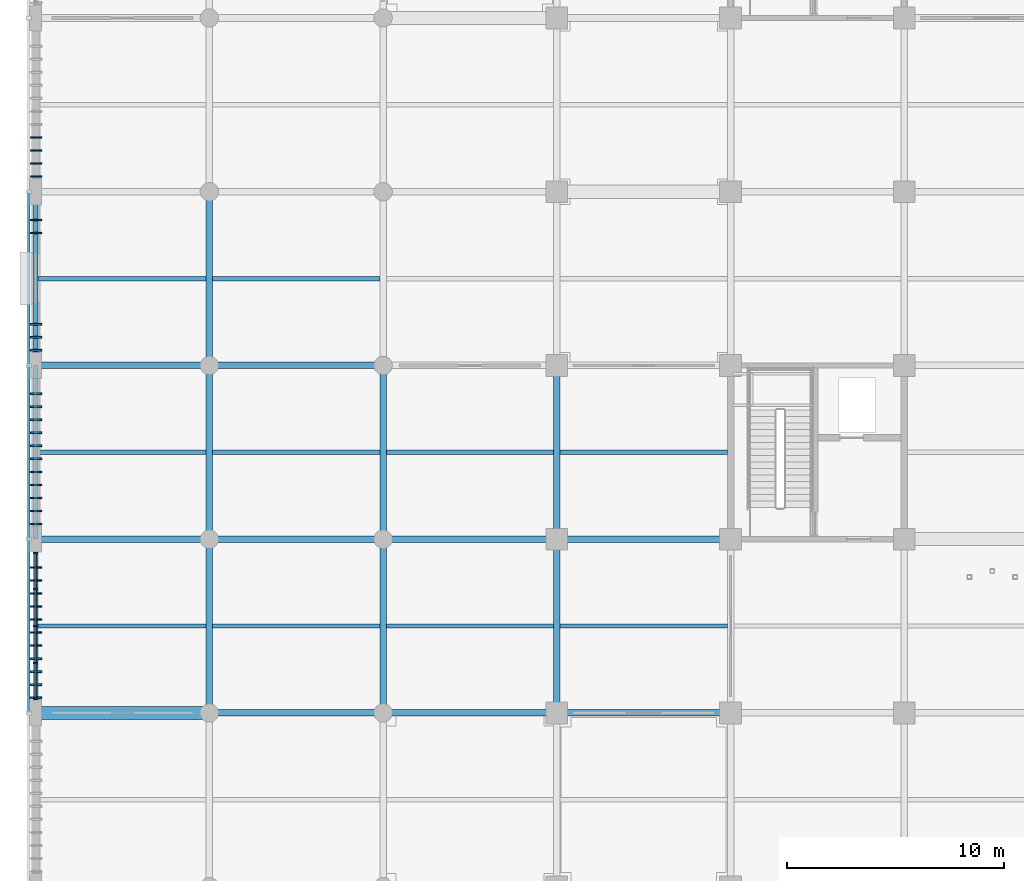
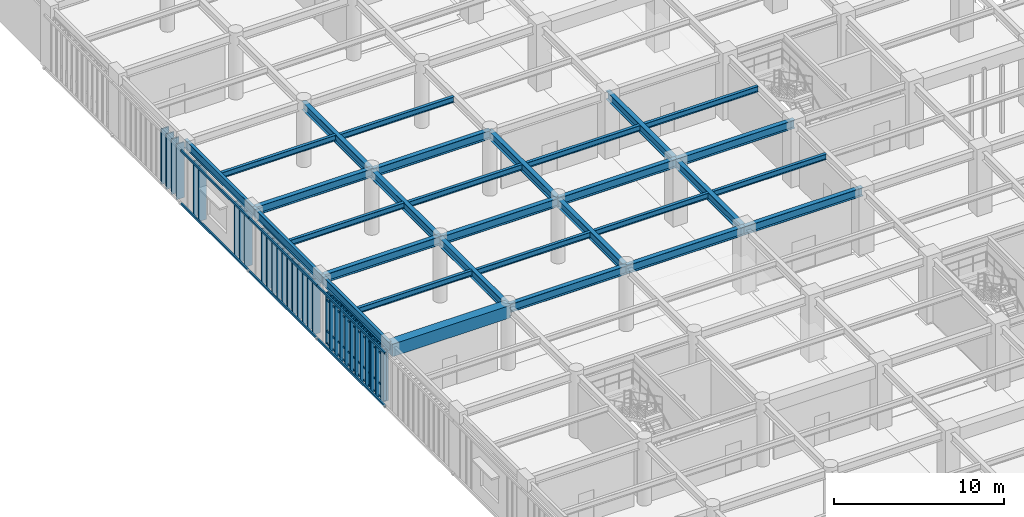
# One storey, part 22 of 117: 58 members, 30 beams, 1 element without a shape of its own.
"""IFC4 building model written with IfcOpenShell, lengths in metres."""

from ifc_helpers import new_model, si_unit, direction, frame, origin, origin_2d, place, context, subcontext, project, spatial, rectangle, hollow_rectangle, i_section, extrude, material, layer, layer_set, material_profile, profile_set, type_object, element, aggregate, save


model = new_model("IFC4")

# Units and contexts
model_context = context("Model", 3, precision=1e-05, world=origin(), true_north=direction((0.0, 1.0)))
body_context = subcontext(model_context, "Body", "Model", "MODEL_VIEW")
ifc_project = project(units=[si_unit("LENGTHUNIT", "METRE"), si_unit("AREAUNIT", "SQUARE_METRE"), si_unit("VOLUMEUNIT", "CUBIC_METRE"), si_unit("PLANEANGLEUNIT", "RADIAN"), si_unit("MASSUNIT", "GRAM", prefix="KILO")], contexts=[model_context])

# Site, building, storey
site_placement = place(None, origin())
site = spatial("IfcSite", under=ifc_project, at=site_placement, CompositionType="ELEMENT")
building_placement = place(site_placement, origin())
building = spatial("IfcBuilding", under=site, at=building_placement, Name="Haebicheon Civic Stadium", CompositionType="ELEMENT")
storey_placement = place(building_placement, frame((0.0, 0.0, 4.800048828125)))
storey = spatial("IfcBuildingStorey", under=building, at=storey_placement, Name="L02", CompositionType="ELEMENT", Elevation=4.800048828125)

# Beams
ifc_material_1 = material(Name="Concrete C40/50", Category="concrete")
ifc_material_profile_1 = material_profile(ifc_material_1, rectangle(XDim=0.60009765625, YDim=0.89990234375, at=origin_2d()), Name="RC-BM-600x900")
ifc_profile_set_1 = profile_set([ifc_material_profile_1], Name="Concrete C40/50")
beam_type_1 = type_object("IfcBeamType", Name="BM-RC-600x900", PredefinedType="BEAM", material=ifc_profile_set_1)
beam_placement = place(storey_placement, frame((0.0, 96.0, 4.1298828125), z_axis=(1.0, 0.0, 0.0), x_axis=(0.0, 1.0, 0.0)))
element("IfcBeam", 1, at=beam_placement, inside=storey, type_object=beam_type_1, material=ifc_profile_set_1, Name="L02 beam N/1-2", PredefinedType="BEAM", context=body_context, shape_type="SweptSolid", body=[
    extrude(rectangle(XDim=0.60009765625, YDim=0.89990234375, at=origin_2d()), origin(), (0.0, 0.0, 1.0), 8.0),
])
ifc_material_2 = material(Name="Steel SM355 (S355)", Category="steel")
ifc_material_profile_2 = material_profile(ifc_material_2, i_section(OverallWidth=0.300048828125, OverallDepth=0.60009765625, WebThickness=0.011962890625, FlangeThickness=0.02001953125, at=origin_2d()), Name="H-600x300x12x20")
ifc_profile_set_2 = profile_set([ifc_material_profile_2], Name="Steel SM355 (S355)")
beam_type_2 = type_object("IfcBeamType", Name="BM-ST-H600A", PredefinedType="BEAM", material=ifc_profile_set_2)
for number, where, z_axis, x_axis, name in (
    (2, (8.0, 96.0, 4.219970703125), (0.0, 1.0, 0.0), (-1.0, 0.0, 0.0), "L02 girder 2/N-P"),
    (3, (8.0, 104.0, 4.219970703125), (0.0, 1.0, 0.0), (-1.0, 0.0, 0.0), "L02 girder 2/P-Q"),
    (4, (8.0, 112.0, 4.219970703125), (0.0, 1.0, 0.0), (-1.0, 0.0, 0.0), "L02 girder 2/Q-R"),
    (5, (16.0, 96.0, 4.219970703125), (0.0, 1.0, 0.0), (-1.0, 0.0, 0.0), "L02 girder 3/N-P"),
    (6, (16.0, 104.0, 4.219970703125), (0.0, 1.0, 0.0), (-1.0, 0.0, 0.0), "L02 girder 3/P-Q"),
    (7, (24.0, 96.0, 4.219970703125), (0.0, 1.0, 0.0), (-1.0, 0.0, 0.0), "L02 girder 4/N-P"),
    (8, (24.0, 104.0, 4.219970703125), (0.0, 1.0, 0.0), (-1.0, 0.0, 0.0), "L02 girder 4/P-Q"),
    (9, (0.0, 104.0, 4.280029296875), (1.0, 0.0, 0.0), (0.0, 1.0, 0.0), "L02 beam P/1-2"),
    (10, (0.0, 112.0, 4.280029296875), (1.0, 0.0, 0.0), (0.0, 1.0, 0.0), "L02 beam Q/1-2"),
    (11, (8.0, 96.0, 4.219970703125), (1.0, 0.0, 0.0), (0.0, 1.0, 0.0), "L02 beam N/2-3"),
    (12, (8.0, 104.0, 4.219970703125), (1.0, 0.0, 0.0), (0.0, 1.0, 0.0), "L02 beam P/2-3"),
    (13, (8.0, 112.0, 4.219970703125), (1.0, 0.0, 0.0), (0.0, 1.0, 0.0), "L02 beam Q/2-3"),
    (14, (16.0, 96.0, 4.219970703125), (1.0, 0.0, 0.0), (0.0, 1.0, 0.0), "L02 beam N/3-4"),
    (15, (16.0, 104.0, 4.219970703125), (1.0, 0.0, 0.0), (0.0, 1.0, 0.0), "L02 beam P/3-4"),
    (16, (24.0, 96.0, 4.219970703125), (1.0, 0.0, 0.0), (0.0, 1.0, 0.0), "L02 beam N/4-5"),
    (17, (24.0, 104.0, 4.219970703125), (1.0, 0.0, 0.0), (0.0, 1.0, 0.0), "L02 beam P/4-5"),
):
    element("IfcBeam", number, at=place(storey_placement, frame(where, z_axis=z_axis, x_axis=x_axis)), inside=storey, type_object=beam_type_2, material=ifc_profile_set_2, Name=name, PredefinedType="BEAM", context=body_context, shape_type="SweptSolid", body=[
        extrude(i_section(OverallWidth=0.300048828125, OverallDepth=0.60009765625, WebThickness=0.011962890625, FlangeThickness=0.02001953125, at=origin_2d()), origin(), (0.0, 0.0, 1.0), 8.0),
    ])

# Curtain wall, members
ifc_material_3 = material(Name="Anodised aluminium and laminated glass", Category="aluminium")
ifc_layer = layer(ifc_material_3, 0.179931640625, Name="Anodised aluminium and laminated glass")
ifc_layer_set = layer_set([ifc_layer], Name="Anodised aluminium and laminated glass")
curtain_wall_type = type_object("IfcCurtainWallType", Name="CW-6800x3670", PredefinedType="NOTDEFINED", material=ifc_layer_set)
curtain_wall_placement = place(storey_placement, origin())
curtain_wall = element("IfcCurtainWall", 18, at=curtain_wall_placement, inside=storey, type_object=curtain_wall_type, material=ifc_layer_set, Name="L02 unitised curtain wall 031", PredefinedType="NOTDEFINED")
ifc_material_4 = material(Name="Anodised aluminium 6063-T6", Category="aluminium")
ifc_material_profile_3 = material_profile(ifc_material_4, rectangle(XDim=0.070068359375, YDim=0.199951171875, at=origin_2d()), Name="ALU-MULL-70x200")
ifc_profile_set_3 = profile_set([ifc_material_profile_3], Name="Anodised aluminium 6063-T6")
member_type_1 = type_object("IfcMemberType", Name="CWM-200x70", PredefinedType="MULLION", material=ifc_profile_set_3)
member_1_placement = place(storey_placement, frame((0.0, 96.635009765625, 0.0), z_axis=(0.0, 0.0, 1.0), x_axis=(0.0, 1.0, 0.0)))
member_1 = element("IfcMember", 19, at=member_1_placement, type_object=member_type_1, material=ifc_profile_set_3, Name="CW-L02-031 vertical mullion 1", PredefinedType="MULLION", context=body_context, shape_type="SweptSolid", body=[
    extrude(rectangle(XDim=0.070068359375, YDim=0.199951171875, at=origin_2d()), origin(), (0.0, 0.0, 1.0), 3.669921875),
])
member_2_placement = place(storey_placement, frame((0.0, 98.300048828125, 0.0), z_axis=(0.0, 0.0, 1.0), x_axis=(0.0, 1.0, 0.0)))
member_2 = element("IfcMember", 20, at=member_2_placement, type_object=member_type_1, material=ifc_profile_set_3, Name="CW-L02-031 vertical mullion 2", PredefinedType="MULLION", context=body_context, shape_type="SweptSolid", body=[
    extrude(rectangle(XDim=0.070068359375, YDim=0.199951171875, at=origin_2d()), origin(), (0.0, 0.0, 1.0), 3.669921875),
])
member_3_placement = place(storey_placement, frame((0.0, 100.0, 0.0), z_axis=(0.0, 0.0, 1.0), x_axis=(0.0, 1.0, 0.0)))
member_3 = element("IfcMember", 21, at=member_3_placement, type_object=member_type_1, material=ifc_profile_set_3, Name="CW-L02-031 vertical mullion 3", PredefinedType="MULLION", context=body_context, shape_type="SweptSolid", body=[
    extrude(rectangle(XDim=0.070068359375, YDim=0.199951171875, at=origin_2d()), origin(), (0.0, 0.0, 1.0), 3.669921875),
])
member_4_placement = place(storey_placement, frame((0.0, 101.699951171875, 0.0), z_axis=(0.0, 0.0, 1.0), x_axis=(0.0, 1.0, 0.0)))
member_4 = element("IfcMember", 22, at=member_4_placement, type_object=member_type_1, material=ifc_profile_set_3, Name="CW-L02-031 vertical mullion 4", PredefinedType="MULLION", context=body_context, shape_type="SweptSolid", body=[
    extrude(rectangle(XDim=0.070068359375, YDim=0.199951171875, at=origin_2d()), origin(), (0.0, 0.0, 1.0), 3.669921875),
])
member_5_placement = place(storey_placement, frame((0.0, 103.364990234375, 0.0), z_axis=(0.0, 0.0, 1.0), x_axis=(0.0, 1.0, 0.0)))
member_5 = element("IfcMember", 23, at=member_5_placement, type_object=member_type_1, material=ifc_profile_set_3, Name="CW-L02-031 vertical mullion 5", PredefinedType="MULLION", context=body_context, shape_type="SweptSolid", body=[
    extrude(rectangle(XDim=0.070068359375, YDim=0.199951171875, at=origin_2d()), origin(), (0.0, 0.0, 1.0), 3.669921875),
])
ifc_material_5 = material(Name="Anodised aluminium 6063-T6", Category="aluminium")
ifc_material_profile_4 = material_profile(ifc_material_5, rectangle(XDim=0.070068359375, YDim=0.14990234375, at=origin_2d()), Name="ALU-TRAN-70x150")
ifc_profile_set_4 = profile_set([ifc_material_profile_4], Name="Anodised aluminium 6063-T6")
member_type_2 = type_object("IfcMemberType", Name="CWT-150x70", PredefinedType="NOTDEFINED", material=ifc_profile_set_4)
member_6_placement = place(storey_placement, frame((0.0, 96.669921875, 0.0), z_axis=(0.0, 1.0, 0.0), x_axis=(-1.0, 0.0, 0.0)))
member_6 = element("IfcMember", 24, at=member_6_placement, type_object=member_type_2, material=ifc_profile_set_4, Name="CW-L02-031 horizontal transom 1.1", ObjectType="TRANSOM", PredefinedType="USERDEFINED", context=body_context, shape_type="SweptSolid", body=[
    extrude(rectangle(XDim=0.070068359375, YDim=0.14990234375, at=origin_2d()), origin(), (0.0, 0.0, 1.0), 1.594970703125),
])
member_7_placement = place(storey_placement, frame((0.0, 96.669921875, 0.89990234375), z_axis=(0.0, 1.0, 0.0), x_axis=(-1.0, 0.0, 0.0)))
member_7 = element("IfcMember", 25, at=member_7_placement, type_object=member_type_2, material=ifc_profile_set_4, Name="CW-L02-031 horizontal transom 1.2", ObjectType="TRANSOM", PredefinedType="USERDEFINED", context=body_context, shape_type="SweptSolid", body=[
    extrude(rectangle(XDim=0.070068359375, YDim=0.14990234375, at=origin_2d()), origin(), (0.0, 0.0, 1.0), 1.594970703125),
])
member_8_placement = place(storey_placement, frame((0.0, 96.669921875, 3.119873046875), z_axis=(0.0, 1.0, 0.0), x_axis=(-1.0, 0.0, 0.0)))
member_8 = element("IfcMember", 26, at=member_8_placement, type_object=member_type_2, material=ifc_profile_set_4, Name="CW-L02-031 horizontal transom 1.3", ObjectType="TRANSOM", PredefinedType="USERDEFINED", context=body_context, shape_type="SweptSolid", body=[
    extrude(rectangle(XDim=0.070068359375, YDim=0.14990234375, at=origin_2d()), origin(), (0.0, 0.0, 1.0), 1.594970703125),
])
member_9_placement = place(storey_placement, frame((0.0, 96.669921875, 3.669921875), z_axis=(0.0, 1.0, 0.0), x_axis=(-1.0, 0.0, 0.0)))
member_9 = element("IfcMember", 27, at=member_9_placement, type_object=member_type_2, material=ifc_profile_set_4, Name="CW-L02-031 horizontal transom 1.4", ObjectType="TRANSOM", PredefinedType="USERDEFINED", context=body_context, shape_type="SweptSolid", body=[
    extrude(rectangle(XDim=0.070068359375, YDim=0.14990234375, at=origin_2d()), origin(), (0.0, 0.0, 1.0), 1.594970703125),
])
member_10_placement = place(storey_placement, frame((0.0, 98.3349609375, 0.0), z_axis=(0.0, 1.0, 0.0), x_axis=(-1.0, 0.0, 0.0)))
member_10 = element("IfcMember", 28, at=member_10_placement, type_object=member_type_2, material=ifc_profile_set_4, Name="CW-L02-031 horizontal transom 2.1", ObjectType="TRANSOM", PredefinedType="USERDEFINED", context=body_context, shape_type="SweptSolid", body=[
    extrude(rectangle(XDim=0.070068359375, YDim=0.14990234375, at=origin_2d()), origin(), (0.0, 0.0, 1.0), 1.630126953125),
])
member_11_placement = place(storey_placement, frame((0.0, 98.3349609375, 0.89990234375), z_axis=(0.0, 1.0, 0.0), x_axis=(-1.0, 0.0, 0.0)))
member_11 = element("IfcMember", 29, at=member_11_placement, type_object=member_type_2, material=ifc_profile_set_4, Name="CW-L02-031 horizontal transom 2.2", ObjectType="TRANSOM", PredefinedType="USERDEFINED", context=body_context, shape_type="SweptSolid", body=[
    extrude(rectangle(XDim=0.070068359375, YDim=0.14990234375, at=origin_2d()), origin(), (0.0, 0.0, 1.0), 1.630126953125),
])
member_12_placement = place(storey_placement, frame((0.0, 98.3349609375, 3.119873046875), z_axis=(0.0, 1.0, 0.0), x_axis=(-1.0, 0.0, 0.0)))
member_12 = element("IfcMember", 30, at=member_12_placement, type_object=member_type_2, material=ifc_profile_set_4, Name="CW-L02-031 horizontal transom 2.3", ObjectType="TRANSOM", PredefinedType="USERDEFINED", context=body_context, shape_type="SweptSolid", body=[
    extrude(rectangle(XDim=0.070068359375, YDim=0.14990234375, at=origin_2d()), origin(), (0.0, 0.0, 1.0), 1.630126953125),
])
member_13_placement = place(storey_placement, frame((0.0, 98.3349609375, 3.669921875), z_axis=(0.0, 1.0, 0.0), x_axis=(-1.0, 0.0, 0.0)))
member_13 = element("IfcMember", 31, at=member_13_placement, type_object=member_type_2, material=ifc_profile_set_4, Name="CW-L02-031 horizontal transom 2.4", ObjectType="TRANSOM", PredefinedType="USERDEFINED", context=body_context, shape_type="SweptSolid", body=[
    extrude(rectangle(XDim=0.070068359375, YDim=0.14990234375, at=origin_2d()), origin(), (0.0, 0.0, 1.0), 1.630126953125),
])
member_14_placement = place(storey_placement, frame((0.0, 100.034912109375, 0.0), z_axis=(0.0, 1.0, 0.0), x_axis=(-1.0, 0.0, 0.0)))
member_14 = element("IfcMember", 32, at=member_14_placement, type_object=member_type_2, material=ifc_profile_set_4, Name="CW-L02-031 horizontal transom 3.1", ObjectType="TRANSOM", PredefinedType="USERDEFINED", context=body_context, shape_type="SweptSolid", body=[
    extrude(rectangle(XDim=0.070068359375, YDim=0.14990234375, at=origin_2d()), origin(), (0.0, 0.0, 1.0), 1.630126953125),
])
member_15_placement = place(storey_placement, frame((0.0, 100.034912109375, 0.89990234375), z_axis=(0.0, 1.0, 0.0), x_axis=(-1.0, 0.0, 0.0)))
member_15 = element("IfcMember", 33, at=member_15_placement, type_object=member_type_2, material=ifc_profile_set_4, Name="CW-L02-031 horizontal transom 3.2", ObjectType="TRANSOM", PredefinedType="USERDEFINED", context=body_context, shape_type="SweptSolid", body=[
    extrude(rectangle(XDim=0.070068359375, YDim=0.14990234375, at=origin_2d()), origin(), (0.0, 0.0, 1.0), 1.630126953125),
])
member_16_placement = place(storey_placement, frame((0.0, 100.034912109375, 3.119873046875), z_axis=(0.0, 1.0, 0.0), x_axis=(-1.0, 0.0, 0.0)))
member_16 = element("IfcMember", 34, at=member_16_placement, type_object=member_type_2, material=ifc_profile_set_4, Name="CW-L02-031 horizontal transom 3.3", ObjectType="TRANSOM", PredefinedType="USERDEFINED", context=body_context, shape_type="SweptSolid", body=[
    extrude(rectangle(XDim=0.070068359375, YDim=0.14990234375, at=origin_2d()), origin(), (0.0, 0.0, 1.0), 1.630126953125),
])
member_17_placement = place(storey_placement, frame((0.0, 100.034912109375, 3.669921875), z_axis=(0.0, 1.0, 0.0), x_axis=(-1.0, 0.0, 0.0)))
member_17 = element("IfcMember", 35, at=member_17_placement, type_object=member_type_2, material=ifc_profile_set_4, Name="CW-L02-031 horizontal transom 3.4", ObjectType="TRANSOM", PredefinedType="USERDEFINED", context=body_context, shape_type="SweptSolid", body=[
    extrude(rectangle(XDim=0.070068359375, YDim=0.14990234375, at=origin_2d()), origin(), (0.0, 0.0, 1.0), 1.630126953125),
])
member_18_placement = place(storey_placement, frame((0.0, 101.735107421875, 0.0), z_axis=(0.0, 1.0, 0.0), x_axis=(-1.0, 0.0, 0.0)))
member_18 = element("IfcMember", 36, at=member_18_placement, type_object=member_type_2, material=ifc_profile_set_4, Name="CW-L02-031 horizontal transom 4.1", ObjectType="TRANSOM", PredefinedType="USERDEFINED", context=body_context, shape_type="SweptSolid", body=[
    extrude(rectangle(XDim=0.070068359375, YDim=0.14990234375, at=origin_2d()), origin(), (0.0, 0.0, 1.0), 1.594970703125),
])
member_19_placement = place(storey_placement, frame((0.0, 101.735107421875, 0.89990234375), z_axis=(0.0, 1.0, 0.0), x_axis=(-1.0, 0.0, 0.0)))
member_19 = element("IfcMember", 37, at=member_19_placement, type_object=member_type_2, material=ifc_profile_set_4, Name="CW-L02-031 horizontal transom 4.2", ObjectType="TRANSOM", PredefinedType="USERDEFINED", context=body_context, shape_type="SweptSolid", body=[
    extrude(rectangle(XDim=0.070068359375, YDim=0.14990234375, at=origin_2d()), origin(), (0.0, 0.0, 1.0), 1.594970703125),
])
member_20_placement = place(storey_placement, frame((0.0, 101.735107421875, 3.119873046875), z_axis=(0.0, 1.0, 0.0), x_axis=(-1.0, 0.0, 0.0)))
member_20 = element("IfcMember", 38, at=member_20_placement, type_object=member_type_2, material=ifc_profile_set_4, Name="CW-L02-031 horizontal transom 4.3", ObjectType="TRANSOM", PredefinedType="USERDEFINED", context=body_context, shape_type="SweptSolid", body=[
    extrude(rectangle(XDim=0.070068359375, YDim=0.14990234375, at=origin_2d()), origin(), (0.0, 0.0, 1.0), 1.594970703125),
])
member_21_placement = place(storey_placement, frame((0.0, 101.735107421875, 3.669921875), z_axis=(0.0, 1.0, 0.0), x_axis=(-1.0, 0.0, 0.0)))
member_21 = element("IfcMember", 39, at=member_21_placement, type_object=member_type_2, material=ifc_profile_set_4, Name="CW-L02-031 horizontal transom 4.4", ObjectType="TRANSOM", PredefinedType="USERDEFINED", context=body_context, shape_type="SweptSolid", body=[
    extrude(rectangle(XDim=0.070068359375, YDim=0.14990234375, at=origin_2d()), origin(), (0.0, 0.0, 1.0), 1.594970703125),
])
aggregate(curtain_wall, [member_1, member_2, member_3, member_4, member_5, member_6, member_7, member_8, member_9, member_10, member_11, member_12, member_13, member_14, member_15, member_16, member_17, member_18, member_19, member_20, member_21])

# Beams
ifc_material_6 = material(Name="Steel SM355 (S355)", Category="steel")
ifc_material_profile_5 = material_profile(ifc_material_6, i_section(OverallWidth=0.199951171875, OverallDepth=0.39990234375, WebThickness=0.008056640625, FlangeThickness=0.012939453125, at=origin_2d()), Name="H-400x200x8x13")
ifc_profile_set_5 = profile_set([ifc_material_profile_5], Name="Steel SM355 (S355)")
beam_type_3 = type_object("IfcBeamType", Name="JST-ST-H400", PredefinedType="JOIST", material=ifc_profile_set_5)
for number, where, z_axis, x_axis, name in (
    (40, (0.10009765625, 100.0, 4.3798828125), (1.0, 0.0, 0.0), (0.0, 1.0, 0.0), "L02 secondary joist 00-12"),
    (41, (0.10009765625, 108.0, 4.3798828125), (1.0, 0.0, 0.0), (0.0, 1.0, 0.0), "L02 secondary joist 00-13"),
    (42, (0.10009765625, 116.0, 4.3798828125), (1.0, 0.0, 0.0), (0.0, 1.0, 0.0), "L02 secondary joist 00-14"),
):
    element("IfcBeam", number, at=place(storey_placement, frame(where, z_axis=z_axis, x_axis=x_axis)), inside=storey, type_object=beam_type_3, material=ifc_profile_set_5, Name=name, PredefinedType="JOIST", context=body_context, shape_type="SweptSolid", body=[
        extrude(i_section(OverallWidth=0.199951171875, OverallDepth=0.39990234375, WebThickness=0.008056640625, FlangeThickness=0.012939453125, at=origin_2d()), origin(), (0.0, 0.0, 1.0), 7.75),
    ])
for number, where, z_axis, x_axis, name in (
    (43, (8.14990234375, 100.0, 4.320068359375), (1.0, 0.0, 0.0), (0.0, 1.0, 0.0), "L02 secondary joist 01-12"),
    (44, (8.14990234375, 108.0, 4.320068359375), (1.0, 0.0, 0.0), (0.0, 1.0, 0.0), "L02 secondary joist 01-13"),
    (45, (8.14990234375, 116.0, 4.320068359375), (1.0, 0.0, 0.0), (0.0, 1.0, 0.0), "L02 secondary joist 01-14"),
    (46, (16.14990234375, 100.0, 4.320068359375), (1.0, 0.0, 0.0), (0.0, 1.0, 0.0), "L02 secondary joist 02-12"),
    (47, (16.14990234375, 108.0, 4.320068359375), (1.0, 0.0, 0.0), (0.0, 1.0, 0.0), "L02 secondary joist 02-13"),
    (48, (24.14990234375, 100.0, 4.320068359375), (1.0, 0.0, 0.0), (0.0, 1.0, 0.0), "L02 secondary joist 03-12"),
    (49, (24.14990234375, 108.0, 4.320068359375), (1.0, 0.0, 0.0), (0.0, 1.0, 0.0), "L02 secondary joist 03-13"),
):
    element("IfcBeam", number, at=place(storey_placement, frame(where, z_axis=z_axis, x_axis=x_axis)), inside=storey, type_object=beam_type_3, material=ifc_profile_set_5, Name=name, PredefinedType="JOIST", context=body_context, shape_type="SweptSolid", body=[
        extrude(i_section(OverallWidth=0.199951171875, OverallDepth=0.39990234375, WebThickness=0.008056640625, FlangeThickness=0.012939453125, at=origin_2d()), origin(), (0.0, 0.0, 1.0), 7.7001953125),
    ])

# Members
ifc_material_7 = material(Name="Acetylated timber GL28h", Category="wood")
ifc_material_profile_6 = material_profile(ifc_material_7, rectangle(XDim=0.080078125, YDim=0.52001953125, at=origin_2d()), Name="TMB-LOUV-80x520")
ifc_profile_set_6 = profile_set([ifc_material_profile_6], Name="Acetylated timber GL28h")
member_type_3 = type_object("IfcMemberType", Name="LVR-TIM-520x80", PredefinedType="PLATE", material=ifc_profile_set_6)
for number, where, z_axis, x_axis, name in (
    (50, (0.02001953125, 96.699951171875, -0.1201171875), (0.0, 0.0, 1.0), (0.0, 1.0, 0.0), "SCR-BOUL L02 acetylated timber storm louvre fin 7.1"),
    (51, (0.02001953125, 97.300048828125, -0.1201171875), (0.0, 0.0, 1.0), (0.0, 1.0, 0.0), "SCR-BOUL L02 acetylated timber storm louvre fin 7.2"),
    (52, (0.02001953125, 97.89990234375, -0.1201171875), (0.0, 0.0, 1.0), (0.0, 1.0, 0.0), "SCR-BOUL L02 acetylated timber storm louvre fin 7.3"),
    (53, (0.02001953125, 98.5, -0.1201171875), (0.0, 0.0, 1.0), (0.0, 1.0, 0.0), "SCR-BOUL L02 acetylated timber storm louvre fin 7.4"),
    (54, (0.02001953125, 99.10009765625, -0.1201171875), (0.0, 0.0, 1.0), (0.0, 1.0, 0.0), "SCR-BOUL L02 acetylated timber storm louvre fin 7.5"),
    (55, (0.02001953125, 99.699951171875, -0.1201171875), (0.0, 0.0, 1.0), (0.0, 1.0, 0.0), "SCR-BOUL L02 acetylated timber storm louvre fin 7.6"),
    (56, (0.02001953125, 100.300048828125, -0.1201171875), (0.0, 0.0, 1.0), (0.0, 1.0, 0.0), "SCR-BOUL L02 acetylated timber storm louvre fin 7.7"),
    (57, (0.02001953125, 100.89990234375, -0.1201171875), (0.0, 0.0, 1.0), (0.0, 1.0, 0.0), "SCR-BOUL L02 acetylated timber storm louvre fin 7.8"),
    (58, (0.02001953125, 101.5, -0.1201171875), (0.0, 0.0, 1.0), (0.0, 1.0, 0.0), "SCR-BOUL L02 acetylated timber storm louvre fin 7.9"),
    (59, (0.02001953125, 102.10009765625, -0.1201171875), (0.0, 0.0, 1.0), (0.0, 1.0, 0.0), "SCR-BOUL L02 acetylated timber storm louvre fin 7.10"),
    (60, (0.02001953125, 102.699951171875, -0.1201171875), (0.0, 0.0, 1.0), (0.0, 1.0, 0.0), "SCR-BOUL L02 acetylated timber storm louvre fin 7.11"),
    (61, (0.02001953125, 104.699951171875, -0.1201171875), (0.0, 0.0, 1.0), (0.0, 1.0, 0.0), "SCR-BOUL L02 acetylated timber storm louvre fin 8.1"),
    (62, (0.02001953125, 105.300048828125, -0.1201171875), (0.0, 0.0, 1.0), (0.0, 1.0, 0.0), "SCR-BOUL L02 acetylated timber storm louvre fin 8.2"),
    (63, (0.02001953125, 105.89990234375, -0.1201171875), (0.0, 0.0, 1.0), (0.0, 1.0, 0.0), "SCR-BOUL L02 acetylated timber storm louvre fin 8.3"),
    (64, (0.02001953125, 106.5, -0.1201171875), (0.0, 0.0, 1.0), (0.0, 1.0, 0.0), "SCR-BOUL L02 acetylated timber storm louvre fin 8.4"),
    (65, (0.02001953125, 107.10009765625, -0.1201171875), (0.0, 0.0, 1.0), (0.0, 1.0, 0.0), "SCR-BOUL L02 acetylated timber storm louvre fin 8.5"),
    (66, (0.02001953125, 107.699951171875, -0.1201171875), (0.0, 0.0, 1.0), (0.0, 1.0, 0.0), "SCR-BOUL L02 acetylated timber storm louvre fin 8.6"),
    (67, (0.02001953125, 108.300048828125, -0.1201171875), (0.0, 0.0, 1.0), (0.0, 1.0, 0.0), "SCR-BOUL L02 acetylated timber storm louvre fin 8.7"),
    (68, (0.02001953125, 108.89990234375, -0.1201171875), (0.0, 0.0, 1.0), (0.0, 1.0, 0.0), "SCR-BOUL L02 acetylated timber storm louvre fin 8.8"),
    (69, (0.02001953125, 109.5, -0.1201171875), (0.0, 0.0, 1.0), (0.0, 1.0, 0.0), "SCR-BOUL L02 acetylated timber storm louvre fin 8.9"),
    (70, (0.02001953125, 110.10009765625, -0.1201171875), (0.0, 0.0, 1.0), (0.0, 1.0, 0.0), "SCR-BOUL L02 acetylated timber storm louvre fin 8.10"),
    (71, (0.02001953125, 110.699951171875, -0.1201171875), (0.0, 0.0, 1.0), (0.0, 1.0, 0.0), "SCR-BOUL L02 acetylated timber storm louvre fin 8.11"),
    (72, (0.02001953125, 112.699951171875, -0.1201171875), (0.0, 0.0, 1.0), (0.0, 1.0, 0.0), "SCR-BOUL L02 acetylated timber storm louvre fin 9.1"),
    (73, (0.02001953125, 113.300048828125, -0.1201171875), (0.0, 0.0, 1.0), (0.0, 1.0, 0.0), "SCR-BOUL L02 acetylated timber storm louvre fin 9.2"),
    (74, (0.02001953125, 113.89990234375, -0.1201171875), (0.0, 0.0, 1.0), (0.0, 1.0, 0.0), "SCR-BOUL L02 acetylated timber storm louvre fin 9.3"),
    (75, (0.02001953125, 118.10009765625, -0.1201171875), (0.0, 0.0, 1.0), (0.0, 1.0, 0.0), "SCR-BOUL L02 acetylated timber storm louvre fin 9.10"),
    (76, (0.02001953125, 118.699951171875, -0.1201171875), (0.0, 0.0, 1.0), (0.0, 1.0, 0.0), "SCR-BOUL L02 acetylated timber storm louvre fin 9.11"),
    (77, (0.02001953125, 120.699951171875, -0.1201171875), (0.0, 0.0, 1.0), (0.0, 1.0, 0.0), "SCR-BOUL L02 acetylated timber storm louvre fin 10.1"),
    (78, (0.02001953125, 121.300048828125, -0.1201171875), (0.0, 0.0, 1.0), (0.0, 1.0, 0.0), "SCR-BOUL L02 acetylated timber storm louvre fin 10.2"),
    (79, (0.02001953125, 121.89990234375, -0.1201171875), (0.0, 0.0, 1.0), (0.0, 1.0, 0.0), "SCR-BOUL L02 acetylated timber storm louvre fin 10.3"),
    (80, (0.02001953125, 122.5, -0.1201171875), (0.0, 0.0, 1.0), (0.0, 1.0, 0.0), "SCR-BOUL L02 acetylated timber storm louvre fin 10.4"),
):
    element("IfcMember", number, at=place(storey_placement, frame(where, z_axis=z_axis, x_axis=x_axis)), inside=storey, type_object=member_type_3, material=ifc_profile_set_6, Name=name, PredefinedType="PLATE", context=body_context, shape_type="SweptSolid", body=[
        extrude(rectangle(XDim=0.080078125, YDim=0.52001953125, at=origin_2d()), origin(), (0.0, 0.0, 1.0), 3.969970703125),
    ])

# Beams
ifc_material_8 = material(Name="Steel SM355 (S355)", Category="steel")
ifc_material_profile_7 = material_profile(ifc_material_8, i_section(OverallWidth=0.199951171875, OverallDepth=0.60009765625, WebThickness=0.010986328125, FlangeThickness=0.01708984375, at=origin_2d()), Name="H-600x200x11x17")
ifc_profile_set_7 = profile_set([ifc_material_profile_7], Name="Steel SM355 (S355)")
beam_type_4 = type_object("IfcBeamType", Name="SPD-ST-H600B", PredefinedType="SPANDREL", material=ifc_profile_set_7)
for number, where, z_axis, x_axis, name in (
    (81, (0.0, 96.0, 4.280029296875), (0.0, 1.0, 0.0), (-1.0, 0.0, 0.0), "L02 girder 1/N-P"),
    (82, (0.0, 104.0, 4.280029296875), (0.0, 1.0, 0.0), (-1.0, 0.0, 0.0), "L02 girder 1/P-Q"),
    (83, (0.0, 112.0, 4.280029296875), (0.0, 1.0, 0.0), (-1.0, 0.0, 0.0), "L02 girder 1/Q-R"),
):
    element("IfcBeam", number, at=place(storey_placement, frame(where, z_axis=z_axis, x_axis=x_axis)), inside=storey, type_object=beam_type_4, material=ifc_profile_set_7, Name=name, PredefinedType="SPANDREL", context=body_context, shape_type="SweptSolid", body=[
        extrude(i_section(OverallWidth=0.199951171875, OverallDepth=0.60009765625, WebThickness=0.010986328125, FlangeThickness=0.01708984375, at=origin_2d()), origin(), (0.0, 0.0, 1.0), 8.0),
    ])

# Members
ifc_material_9 = material(Name="Steel SM355 (S355)", Category="steel")
ifc_material_profile_8 = material_profile(ifc_material_9, hollow_rectangle(XDim=0.10009765625, YDim=0.14990234375, WallThickness=0.006103515625, at=origin_2d()), Name="RHS-150x100x6.0")
ifc_profile_set_8 = profile_set([ifc_material_profile_8], Name="Steel SM355 (S355)")
member_type_4 = type_object("IfcMemberType", Name="SUB-RHS150", PredefinedType="STRINGER", material=ifc_profile_set_8)
for number, where, z_axis, x_axis, name in (
    (84, (-0.31494140625, 96.0, 0.06005859375), (0.0, 1.0, 0.0), (-1.0, 0.0, 0.0), "SCR-BOUL L02 storm-louvre bottom carrier rail 7"),
    (85, (-0.31494140625, 96.0, 3.849853515625), (0.0, 1.0, 0.0), (-1.0, 0.0, 0.0), "SCR-BOUL L02 storm-louvre top carrier rail 7"),
    (86, (-0.31494140625, 104.0, 0.06005859375), (0.0, 1.0, 0.0), (-1.0, 0.0, 0.0), "SCR-BOUL L02 storm-louvre bottom carrier rail 8"),
    (87, (-0.31494140625, 104.0, 3.849853515625), (0.0, 1.0, 0.0), (-1.0, 0.0, 0.0), "SCR-BOUL L02 storm-louvre top carrier rail 8"),
    (88, (-0.31494140625, 112.0, 0.06005859375), (0.0, 1.0, 0.0), (-1.0, 0.0, 0.0), "SCR-BOUL L02 storm-louvre bottom carrier rail 9"),
    (89, (-0.31494140625, 112.0, 3.849853515625), (0.0, 1.0, 0.0), (-1.0, 0.0, 0.0), "SCR-BOUL L02 storm-louvre top carrier rail 9"),
):
    element("IfcMember", number, at=place(storey_placement, frame(where, z_axis=z_axis, x_axis=x_axis)), inside=storey, type_object=member_type_4, material=ifc_profile_set_8, Name=name, PredefinedType="STRINGER", context=body_context, shape_type="SweptSolid", body=[
        extrude(hollow_rectangle(XDim=0.10009765625, YDim=0.14990234375, WallThickness=0.006103515625, at=origin_2d()), origin(), (0.0, 0.0, 1.0), 8.0),
    ])

save(model, "model.ifc")
